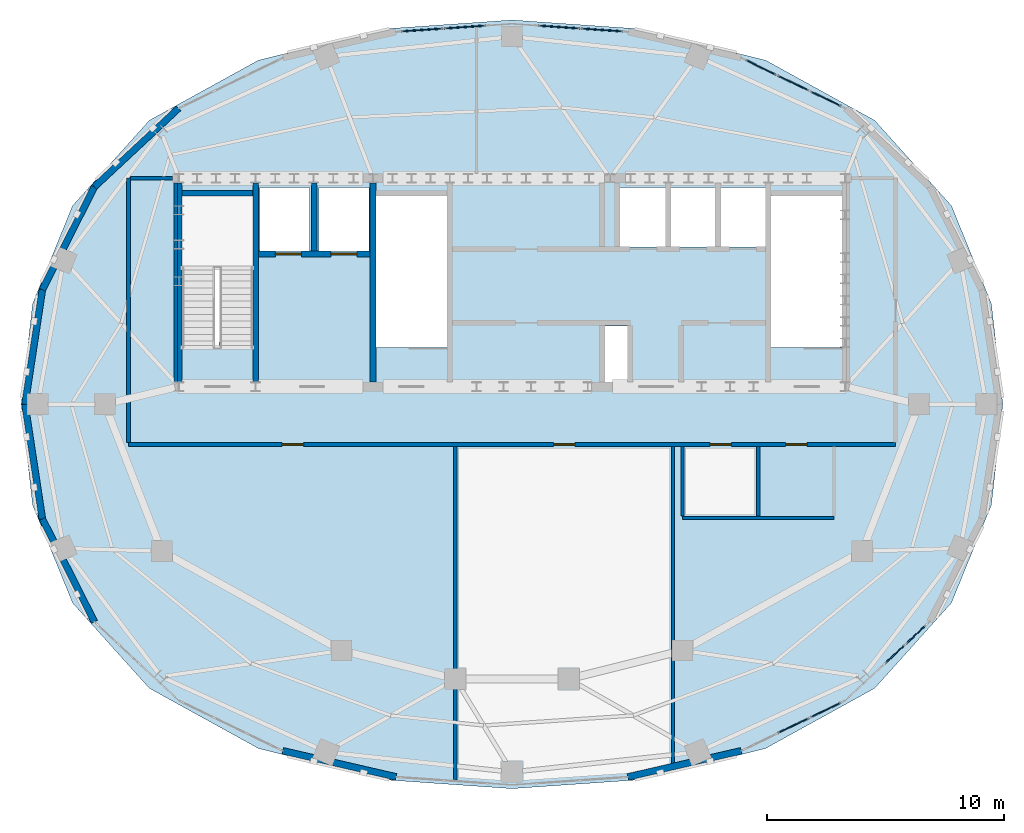
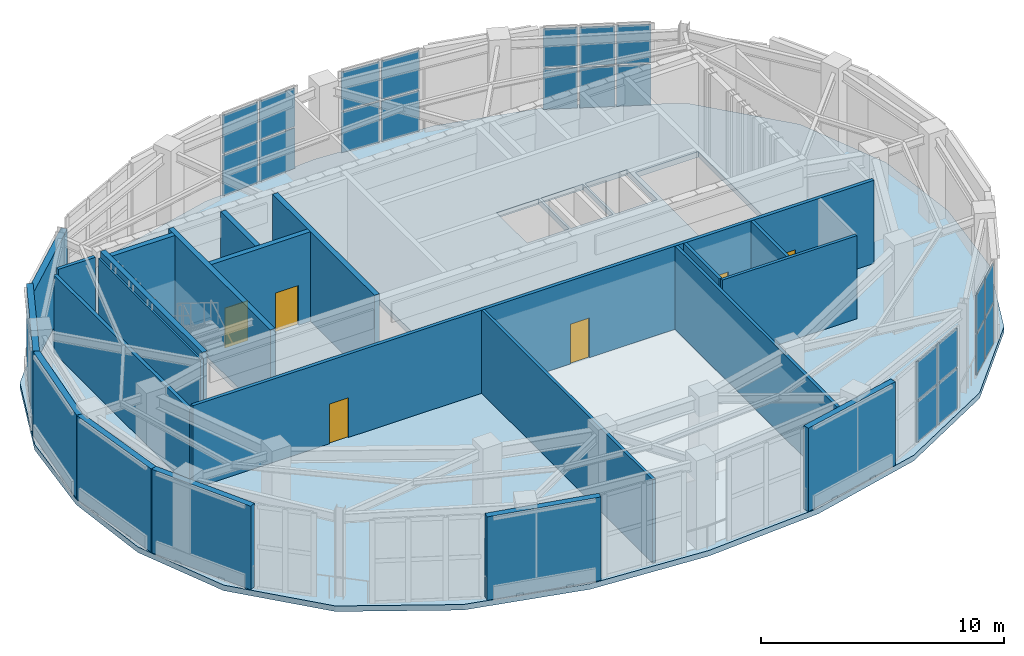
# One storey, part 6 of 10: 22 plates, 22 walls, 6 doors, 1 slab, 6 openings, 5 elements without a shape of their own.
"""IFC4 building model written with IfcOpenShell, lengths in metres."""

from ifc_helpers import new_model, si_unit, direction, frame, frame_2d, origin, origin_2d, place, context, subcontext, project, spatial, polyline, rectangle, outline, extrude, material, layer, layer_set, type_object, element, fill, aggregate, save


model = new_model("IFC4")

# Units and contexts
model_context = context("Model", 3, precision=1e-05, world=origin(), true_north=direction((0.0, 1.0)))
body_context = subcontext(model_context, "Body", "Model", "MODEL_VIEW")
ifc_project = project(units=[si_unit("LENGTHUNIT", "METRE"), si_unit("AREAUNIT", "SQUARE_METRE"), si_unit("VOLUMEUNIT", "CUBIC_METRE"), si_unit("PLANEANGLEUNIT", "RADIAN"), si_unit("MASSUNIT", "GRAM", prefix="KILO")], contexts=[model_context])

# Site, building, storey
site_placement = place(None, origin())
site = spatial("IfcSite", under=ifc_project, at=site_placement, CompositionType="ELEMENT")
building_placement = place(site_placement, origin())
building = spatial("IfcBuilding", under=site, at=building_placement, Name="Haldorwick Loom Tower", CompositionType="ELEMENT")
storey_placement = place(building_placement, frame((0.0, 0.0, 296.0)))
storey = spatial("IfcBuildingStorey", under=building, at=storey_placement, Name="L79", CompositionType="ELEMENT", Elevation=296.0)

# Curtain wall, plates
ifc_material_1 = material(Name="Thermally Broken Anodized Aluminium Curtain Wall Framing", Category="aluminium")
curtain_wall_type = type_object("IfcCurtainWallType", Name="ARC-CW-06", PredefinedType="NOTDEFINED", material=ifc_material_1)
curtain_wall_1_placement = place(storey_placement, origin())
curtain_wall_1 = element("IfcCurtainWall", 1, at=curtain_wall_1_placement, inside=storey, type_object=curtain_wall_type, Name="L79 Facade Curtain Wall CW-06 Bay 4", PredefinedType="NOTDEFINED")
ifc_material_2 = material(Name="Triple-Glazed Low-E Argon Insulated Glazing Unit", Category="glass")
ifc_layer_1 = layer(ifc_material_2, 0.052001953125, Name="Triple-Glazed Low-E Argon Insulated Glazing Unit", Category="glass")
ifc_layer_set_1 = layer_set([ifc_layer_1], Name="Triple-Glazed Low-E Argon Insulated Glazing Unit")
plate_type = type_object("IfcPlateType", Name="ARC-CWP-06", PredefinedType="CURTAIN_PANEL", material=ifc_layer_set_1)
plate_1_placement = place(storey_placement, frame((49.248046875, 38.910400390625, 0.078125), z_axis=(0.0, 0.0, 1.0), x_axis=(-0.900031962022, 0.435823894868, 0.0)))
plate_1 = element("IfcPlate", 2, at=plate_1_placement, type_object=plate_type, Name="CW-06 panel 1.1", PredefinedType="CURTAIN_PANEL", context=body_context, shape_type="SweptSolid", body=[
    extrude(rectangle(XDim=1.420166015625, YDim=0.052001953125, at=origin_2d()), origin(), (0.0, 0.0, 1.0), 2.032958984375),
])
plate_2_placement = place(storey_placement, frame((49.248046875, 38.910400390625, 2.18896484375), z_axis=(0.0, 0.0, 1.0), x_axis=(-0.900031962022, 0.435823894868, 0.0)))
plate_2 = element("IfcPlate", 3, at=plate_2_placement, type_object=plate_type, Name="CW-06 panel 1.2", PredefinedType="CURTAIN_PANEL", context=body_context, shape_type="SweptSolid", body=[
    extrude(rectangle(XDim=1.420166015625, YDim=0.052001953125, at=origin_2d()), origin(), (0.0, 0.0, 1.0), 1.93310546875),
])
plate_3_placement = place(storey_placement, frame((47.882080078125, 39.572021484375, 0.078125), z_axis=(0.0, 0.0, 1.0), x_axis=(-0.900031962022, 0.435823894868, 0.0)))
plate_3 = element("IfcPlate", 4, at=plate_3_placement, type_object=plate_type, Name="CW-06 panel 2.1", PredefinedType="CURTAIN_PANEL", context=body_context, shape_type="SweptSolid", body=[
    extrude(rectangle(XDim=1.459228515625, YDim=0.052001953125, at=origin_2d()), origin(), (0.0, 0.0, 1.0), 2.032958984375),
])
plate_4_placement = place(storey_placement, frame((47.882080078125, 39.572021484375, 2.18896484375), z_axis=(0.0, 0.0, 1.0), x_axis=(-0.900031962022, 0.435823894868, 0.0)))
plate_4 = element("IfcPlate", 5, at=plate_4_placement, type_object=plate_type, Name="CW-06 panel 2.2", PredefinedType="CURTAIN_PANEL", context=body_context, shape_type="SweptSolid", body=[
    extrude(rectangle(XDim=1.459228515625, YDim=0.052001953125, at=origin_2d()), origin(), (0.0, 0.0, 1.0), 1.93310546875),
])
plate_5_placement = place(storey_placement, frame((46.51611328125, 40.2333984375, 0.078125), z_axis=(0.0, 0.0, 1.0), x_axis=(-0.900031962022, 0.435823894868, 0.0)))
plate_5 = element("IfcPlate", 6, at=plate_5_placement, type_object=plate_type, Name="CW-06 panel 3.1", PredefinedType="CURTAIN_PANEL", context=body_context, shape_type="SweptSolid", body=[
    extrude(rectangle(XDim=1.420166015625, YDim=0.052001953125, at=origin_2d()), origin(), (0.0, 0.0, 1.0), 2.032958984375),
])
plate_6_placement = place(storey_placement, frame((46.51611328125, 40.2333984375, 2.18896484375), z_axis=(0.0, 0.0, 1.0), x_axis=(-0.900031962022, 0.435823894868, 0.0)))
plate_6 = element("IfcPlate", 7, at=plate_6_placement, type_object=plate_type, Name="CW-06 panel 3.2", PredefinedType="CURTAIN_PANEL", context=body_context, shape_type="SweptSolid", body=[
    extrude(rectangle(XDim=1.420166015625, YDim=0.052001953125, at=origin_2d()), origin(), (0.0, 0.0, 1.0), 1.93310546875),
])
aggregate(curtain_wall_1, [plate_1, plate_2, plate_3, plate_4, plate_5, plate_6])

curtain_wall_2_placement = place(storey_placement, origin())
curtain_wall_2 = element("IfcCurtainWall", 8, at=curtain_wall_2_placement, inside=storey, type_object=curtain_wall_type, Name="L79 Facade Curtain Wall CW-06 Bay 6", PredefinedType="NOTDEFINED")
plate_7_placement = place(storey_placement, frame((39.808349609375, 41.8134765625, 0.078125), z_axis=(0.0, 0.0, 1.0), x_axis=(-0.997653224716, 0.068469286639, 0.0)))
plate_7 = element("IfcPlate", 9, at=plate_7_placement, type_object=plate_type, Name="CW-06 panel 1.1", PredefinedType="CURTAIN_PANEL", context=body_context, shape_type="SweptSolid", body=[
    extrude(rectangle(XDim=1.74951171875, YDim=0.052001953125, at=origin_2d()), origin(), (0.0, 0.0, 1.0), 2.032958984375),
])
plate_8_placement = place(storey_placement, frame((39.808349609375, 41.8134765625, 2.18896484375), z_axis=(0.0, 0.0, 1.0), x_axis=(-0.997653224716, 0.068469286639, 0.0)))
plate_8 = element("IfcPlate", 10, at=plate_8_placement, type_object=plate_type, Name="CW-06 panel 1.2", PredefinedType="CURTAIN_PANEL", context=body_context, shape_type="SweptSolid", body=[
    extrude(rectangle(XDim=1.74951171875, YDim=0.052001953125, at=origin_2d()), origin(), (0.0, 0.0, 1.0), 1.93310546875),
])
plate_9_placement = place(storey_placement, frame((37.985107421875, 41.9384765625, 0.078125), z_axis=(0.0, 0.0, 1.0), x_axis=(-0.997653224716, 0.068469286639, 0.0)))
plate_9 = element("IfcPlate", 11, at=plate_9_placement, type_object=plate_type, Name="CW-06 panel 2.1", PredefinedType="CURTAIN_PANEL", context=body_context, shape_type="SweptSolid", body=[
    extrude(rectangle(XDim=1.74951171875, YDim=0.052001953125, at=origin_2d()), origin(), (0.0, 0.0, 1.0), 2.032958984375),
])
plate_10_placement = place(storey_placement, frame((37.985107421875, 41.9384765625, 2.18896484375), z_axis=(0.0, 0.0, 1.0), x_axis=(-0.997653224716, 0.068469286639, 0.0)))
plate_10 = element("IfcPlate", 12, at=plate_10_placement, type_object=plate_type, Name="CW-06 panel 2.2", PredefinedType="CURTAIN_PANEL", context=body_context, shape_type="SweptSolid", body=[
    extrude(rectangle(XDim=1.74951171875, YDim=0.052001953125, at=origin_2d()), origin(), (0.0, 0.0, 1.0), 1.93310546875),
])
aggregate(curtain_wall_2, [plate_7, plate_8, plate_9, plate_10])

curtain_wall_3_placement = place(storey_placement, origin())
curtain_wall_3 = element("IfcCurtainWall", 13, at=curtain_wall_3_placement, inside=storey, type_object=curtain_wall_type, Name="L79 Facade Curtain Wall CW-06 Bay 7", PredefinedType="NOTDEFINED")
plate_11_placement = place(storey_placement, frame((34.014892578125, 41.9384765625, 0.078125), z_axis=(0.0, 0.0, 1.0), x_axis=(-0.997653224716, -0.068469286639, 0.0)))
plate_11 = element("IfcPlate", 14, at=plate_11_placement, type_object=plate_type, Name="CW-06 panel 1.1", PredefinedType="CURTAIN_PANEL", context=body_context, shape_type="SweptSolid", body=[
    extrude(rectangle(XDim=1.74951171875, YDim=0.052001953125, at=origin_2d()), origin(), (0.0, 0.0, 1.0), 2.032958984375),
])
plate_12_placement = place(storey_placement, frame((34.014892578125, 41.9384765625, 2.18896484375), z_axis=(0.0, 0.0, 1.0), x_axis=(-0.997653224716, -0.068469286639, 0.0)))
plate_12 = element("IfcPlate", 15, at=plate_12_placement, type_object=plate_type, Name="CW-06 panel 1.2", PredefinedType="CURTAIN_PANEL", context=body_context, shape_type="SweptSolid", body=[
    extrude(rectangle(XDim=1.74951171875, YDim=0.052001953125, at=origin_2d()), origin(), (0.0, 0.0, 1.0), 1.93310546875),
])
plate_13_placement = place(storey_placement, frame((32.191650390625, 41.8134765625, 0.078125), z_axis=(0.0, 0.0, 1.0), x_axis=(-0.997653224716, -0.068469286639, 0.0)))
plate_13 = element("IfcPlate", 16, at=plate_13_placement, type_object=plate_type, Name="CW-06 panel 2.1", PredefinedType="CURTAIN_PANEL", context=body_context, shape_type="SweptSolid", body=[
    extrude(rectangle(XDim=1.74951171875, YDim=0.052001953125, at=origin_2d()), origin(), (0.0, 0.0, 1.0), 2.032958984375),
])
plate_14_placement = place(storey_placement, frame((32.191650390625, 41.8134765625, 2.18896484375), z_axis=(0.0, 0.0, 1.0), x_axis=(-0.997653224716, -0.068469286639, 0.0)))
plate_14 = element("IfcPlate", 17, at=plate_14_placement, type_object=plate_type, Name="CW-06 panel 2.2", PredefinedType="CURTAIN_PANEL", context=body_context, shape_type="SweptSolid", body=[
    extrude(rectangle(XDim=1.74951171875, YDim=0.052001953125, at=origin_2d()), origin(), (0.0, 0.0, 1.0), 1.93310546875),
])
aggregate(curtain_wall_3, [plate_11, plate_12, plate_13, plate_14])

curtain_wall_4_placement = place(storey_placement, origin())
curtain_wall_4 = element("IfcCurtainWall", 18, at=curtain_wall_4_placement, inside=storey, type_object=curtain_wall_type, Name="L79 Facade Curtain Wall CW-06 Bay 21", PredefinedType="NOTDEFINED")
plate_15_placement = place(storey_placement, frame((47.882080078125, 12.427978515625, 0.078125), z_axis=(0.0, 0.0, 1.0), x_axis=(0.900031962022, 0.435823894868, 0.0)))
plate_15 = element("IfcPlate", 19, at=plate_15_placement, type_object=plate_type, Name="CW-06 panel 2.1", PredefinedType="CURTAIN_PANEL", context=body_context, shape_type="SweptSolid", body=[
    extrude(rectangle(XDim=1.459228515625, YDim=0.052001953125, at=origin_2d()), origin(), (0.0, 0.0, 1.0), 2.032958984375),
])
plate_16_placement = place(storey_placement, frame((47.882080078125, 12.427978515625, 2.18896484375), z_axis=(0.0, 0.0, 1.0), x_axis=(0.900031962022, 0.435823894868, 0.0)))
plate_16 = element("IfcPlate", 20, at=plate_16_placement, type_object=plate_type, Name="CW-06 panel 2.2", PredefinedType="CURTAIN_PANEL", context=body_context, shape_type="SweptSolid", body=[
    extrude(rectangle(XDim=1.459228515625, YDim=0.052001953125, at=origin_2d()), origin(), (0.0, 0.0, 1.0), 1.93310546875),
])
plate_17_placement = place(storey_placement, frame((49.248046875, 13.089599609375, 0.078125), z_axis=(0.0, 0.0, 1.0), x_axis=(0.900031962022, 0.435823894868, 0.0)))
plate_17 = element("IfcPlate", 21, at=plate_17_placement, type_object=plate_type, Name="CW-06 panel 3.1", PredefinedType="CURTAIN_PANEL", context=body_context, shape_type="SweptSolid", body=[
    extrude(rectangle(XDim=1.420166015625, YDim=0.052001953125, at=origin_2d()), origin(), (0.0, 0.0, 1.0), 2.032958984375),
])
plate_18_placement = place(storey_placement, frame((49.248046875, 13.089599609375, 2.18896484375), z_axis=(0.0, 0.0, 1.0), x_axis=(0.900031962022, 0.435823894868, 0.0)))
plate_18 = element("IfcPlate", 22, at=plate_18_placement, type_object=plate_type, Name="CW-06 panel 3.2", PredefinedType="CURTAIN_PANEL", context=body_context, shape_type="SweptSolid", body=[
    extrude(rectangle(XDim=1.420166015625, YDim=0.052001953125, at=origin_2d()), origin(), (0.0, 0.0, 1.0), 1.93310546875),
])
aggregate(curtain_wall_4, [plate_15, plate_16, plate_17, plate_18])

curtain_wall_5_placement = place(storey_placement, origin())
curtain_wall_5 = element("IfcCurtainWall", 23, at=curtain_wall_5_placement, inside=storey, type_object=curtain_wall_type, Name="L79 Facade Curtain Wall CW-06 Bay 22", PredefinedType="NOTDEFINED")
plate_19_placement = place(storey_placement, frame((52.1826171875, 15.454345703125, 0.078125), z_axis=(0.0, 0.0, 1.0), x_axis=(0.730886220753, 0.682499327702, 0.0)))
plate_19 = element("IfcPlate", 24, at=plate_19_placement, type_object=plate_type, Name="CW-06 panel 1.1", PredefinedType="CURTAIN_PANEL", context=body_context, shape_type="SweptSolid", body=[
    extrude(rectangle(XDim=1.13232421875, YDim=0.052001953125, at=origin_2d()), origin(), (0.0, 0.0, 1.0), 2.032958984375),
])
plate_20_placement = place(storey_placement, frame((52.1826171875, 15.454345703125, 2.18896484375), z_axis=(0.0, 0.0, 1.0), x_axis=(0.730886220753, 0.682499327702, 0.0)))
plate_20 = element("IfcPlate", 25, at=plate_20_placement, type_object=plate_type, Name="CW-06 panel 1.2", PredefinedType="CURTAIN_PANEL", context=body_context, shape_type="SweptSolid", body=[
    extrude(rectangle(XDim=1.13232421875, YDim=0.052001953125, at=origin_2d()), origin(), (0.0, 0.0, 1.0), 1.93310546875),
])
plate_21_placement = place(storey_placement, frame((53.0673828125, 16.280517578125, 0.078125), z_axis=(0.0, 0.0, 1.0), x_axis=(0.730886220753, 0.682499327702, 0.0)))
plate_21 = element("IfcPlate", 26, at=plate_21_placement, type_object=plate_type, Name="CW-06 panel 2.1", PredefinedType="CURTAIN_PANEL", context=body_context, shape_type="SweptSolid", body=[
    extrude(rectangle(XDim=1.13232421875, YDim=0.052001953125, at=origin_2d()), origin(), (0.0, 0.0, 1.0), 2.032958984375),
])
plate_22_placement = place(storey_placement, frame((53.0673828125, 16.280517578125, 2.18896484375), z_axis=(0.0, 0.0, 1.0), x_axis=(0.730886220753, 0.682499327702, 0.0)))
plate_22 = element("IfcPlate", 27, at=plate_22_placement, type_object=plate_type, Name="CW-06 panel 2.2", PredefinedType="CURTAIN_PANEL", context=body_context, shape_type="SweptSolid", body=[
    extrude(rectangle(XDim=1.13232421875, YDim=0.052001953125, at=origin_2d()), origin(), (0.0, 0.0, 1.0), 1.93310546875),
])
aggregate(curtain_wall_5, [plate_19, plate_20, plate_21, plate_22])

# Slab
ifc_material_3 = material(Name="Concrete C40 (40 MPa)", Category="concrete")
ifc_layer_2 = layer(ifc_material_3, 0.280029296875, Name="Concrete C40 (40 MPa)", Category="concrete")
ifc_layer_set_2 = layer_set([ifc_layer_2], Name="Concrete C40 (40 MPa)")
slab_type = type_object("IfcSlabType", Name="STR-SLB-SKY280", PredefinedType="FLOOR", material=ifc_layer_set_2)
slab_placement = place(storey_placement, frame((0.0, 0.0, -0.280029296875)))
element("IfcSlab", 28, at=slab_placement, inside=storey, type_object=slab_type, Name="L79 Conservatory Structural Floor Slab", PredefinedType="FLOOR", context=body_context, shape_type="SweptSolid", body=[
    extrude(outline(polyline([(54.561767578125, 17.608642578125), (56.25244140625, 21.7509765625), (56.733642578125, 26.0), (56.25244140625, 30.2490234375), (54.561767578125, 34.391357421875), (51.320556640625, 37.99609375), (46.716552734375, 40.5341796875), (41.426513671875, 41.85791015625), (36.0, 42.23486328125), (30.573486328125, 41.85791015625), (25.283447265625, 40.5341796875), (20.679443359375, 37.99609375), (17.438232421875, 34.391357421875), (15.74755859375, 30.2490234375), (15.266357421875, 26.0), (15.74755859375, 21.7509765625), (17.438232421875, 17.608642578125), (20.679443359375, 14.00390625), (25.283447265625, 11.4658203125), (30.573486328125, 10.14208984375), (36.0, 9.76513671875), (41.426513671875, 10.14208984375), (46.716552734375, 11.4658203125), (51.320556640625, 14.00390625), (54.561767578125, 17.608642578125)]), holes=[polyline([(39.89990234375, 26.89990234375), (39.89990234375, 29.300048828125), (40.89990234375, 29.300048828125), (40.89990234375, 26.89990234375), (39.89990234375, 26.89990234375)]), polyline([(22.050048828125, 28.39990234375), (22.050048828125, 34.800048828125), (25.050048828125, 34.800048828125), (25.050048828125, 28.639892578125), (23.6201171875, 28.639892578125), (23.6201171875, 28.39990234375), (22.050048828125, 28.39990234375)]), polyline([(30.25, 28.39990234375), (30.25, 34.800048828125), (33.25, 34.800048828125), (33.25, 28.39990234375), (30.25, 28.39990234375)]), polyline([(46.949951171875, 28.39990234375), (46.949951171875, 34.800048828125), (49.949951171875, 34.800048828125), (49.949951171875, 28.39990234375), (46.949951171875, 28.39990234375)]), polyline([(25.35009765625, 32.449951171875), (25.35009765625, 35.14990234375), (27.449951171875, 35.14990234375), (27.449951171875, 32.449951171875), (25.35009765625, 32.449951171875)]), polyline([(27.85009765625, 32.449951171875), (27.85009765625, 35.14990234375), (29.949951171875, 35.14990234375), (29.949951171875, 32.449951171875), (27.85009765625, 32.449951171875)]), polyline([(40.550048828125, 32.64990234375), (40.550048828125, 35.14990234375), (42.550048828125, 35.14990234375), (42.550048828125, 32.64990234375), (40.550048828125, 32.64990234375)]), polyline([(42.64990234375, 35.14990234375), (44.64990234375, 35.14990234375), (44.64990234375, 32.64990234375), (42.64990234375, 32.64990234375), (42.64990234375, 35.14990234375)]), polyline([(44.75, 35.14990234375), (46.75, 35.14990234375), (46.75, 32.64990234375), (44.75, 32.64990234375), (44.75, 35.14990234375)])]), origin(), (0.0, 0.0, 1.0), 0.280029296875),
])

# Walls
ifc_material_4 = material(Name="Pressed Clay Face Brick and Insulated Masonry Backup Assembly", Category="masonry")
ifc_layer_3 = layer(ifc_material_4, 0.280029296875, Name="Pressed Clay Face Brick and Insulated Masonry Backup Assembly", Category="masonry")
ifc_layer_set_3 = layer_set([ifc_layer_3], Name="Pressed Clay Face Brick and Insulated Masonry Backup Assembly")
wall_type_1 = type_object("IfcWallType", Name="ARC-WL-EXT280", PredefinedType="STANDARD", material=ifc_layer_set_3)
wall_1_placement = place(storey_placement, frame((21.91650390625, 38.506103515625, 0.0), z_axis=(0.0, 0.0, 1.0), x_axis=(-0.730848380054, -0.682539848927, 0.0)))
element("IfcWall", 29, at=wall_1_placement, inside=storey, type_object=wall_type_1, Name="L79 Brick Pier and Spandrel Wall 10", PredefinedType="STANDARD", context=body_context, shape_type="SweptSolid", body=[
    extrude(rectangle(XDim=4.86669921875, YDim=0.280029296875, at=frame_2d((2.433349609375, 0.0))), origin(), (0.0, 0.0, 1.0), 3.708984375),
])
wall_2_placement = place(storey_placement, frame((18.359619140625, 35.184326171875, 0.0), z_axis=(0.0, 0.0, 1.0), x_axis=(-0.451802465885, -0.892118003305, 0.0)))
element("IfcWall", 30, at=wall_2_placement, inside=storey, type_object=wall_type_1, Name="L79 Brick Pier and Spandrel Wall 11", PredefinedType="STANDARD", context=body_context, shape_type="SweptSolid", body=[
    extrude(rectangle(XDim=4.8671875, YDim=0.280029296875, at=frame_2d((2.43359375, 0.0))), origin(), (0.0, 0.0, 1.0), 4.199951171875),
])
for number, where, z_axis, x_axis, name in (
    (31, (16.16064453125, 30.84228515625, 0.0), (0.0, 0.0, 1.0), (-0.149895455746, -0.9887018521, 0.0), "L79 Brick Pier and Spandrel Wall 12"),
    (32, (15.426513671875, 26.0, 0.0), (0.0, 0.0, 1.0), (0.149895455746, -0.9887018521, 0.0), "L79 Brick Pier and Spandrel Wall 13"),
):
    element("IfcWall", number, at=place(storey_placement, frame(where, z_axis=z_axis, x_axis=x_axis)), inside=storey, type_object=wall_type_1, Name=name, PredefinedType="STANDARD", context=body_context, shape_type="SweptSolid", body=[
        extrude(rectangle(XDim=4.897705078125, YDim=0.280029296875, at=frame_2d((2.44873046875, 0.0))), origin(), (0.0, 0.0, 1.0), 4.199951171875),
    ])
wall_3_placement = place(storey_placement, frame((16.16064453125, 21.15771484375, 0.0), z_axis=(0.0, 0.0, 1.0), x_axis=(0.451802465885, -0.892118003305, 0.0)))
element("IfcWall", 33, at=wall_3_placement, inside=storey, type_object=wall_type_1, Name="L79 Brick Pier and Spandrel Wall 14", PredefinedType="STANDARD", context=body_context, shape_type="SweptSolid", body=[
    extrude(rectangle(XDim=4.8671875, YDim=0.280029296875, at=frame_2d((2.43359375, 0.0))), origin(), (0.0, 0.0, 1.0), 4.199951171875),
])
for number, where, z_axis, x_axis, name in (
    (34, (26.3193359375, 11.362060546875, 0.0), (0.0, 0.0, 1.0), (0.97452518262, -0.224278105128, 0.0), "L79 Brick Pier and Spandrel Wall 17"),
    (35, (40.8984375, 10.261474609375, 0.0), (0.0, 0.0, 1.0), (0.97452518262, 0.224278105128, 0.0), "L79 Brick Pier and Spandrel Wall 20"),
):
    element("IfcWall", number, at=place(storey_placement, frame(where, z_axis=z_axis, x_axis=x_axis)), inside=storey, type_object=wall_type_1, Name=name, PredefinedType="STANDARD", context=body_context, shape_type="SweptSolid", body=[
        extrude(rectangle(XDim=4.9072265625, YDim=0.280029296875, at=frame_2d((2.45361328125, 0.0))), origin(), (0.0, 0.0, 1.0), 4.199951171875),
    ])

# Wall, openings, doors
ifc_material_5 = material(Name="Fire-Rated Type X Gypsum Stud Assembly EI 60")
ifc_layer_4 = layer(ifc_material_5, 0.159912109375, Name="Fire-Rated Type X Gypsum Stud Assembly EI 60")
ifc_layer_set_4 = layer_set([ifc_layer_4], Name="Fire-Rated Type X Gypsum Stud Assembly EI 60")
wall_type_2 = type_object("IfcWallType", Name="ARC-WL-FIRE160", PredefinedType="PARTITIONING", material=ifc_layer_set_4)
wall_4_placement = place(storey_placement, frame((19.800048828125, 24.300048828125, 0.0), z_axis=(0.0, 0.0, 1.0), x_axis=(1.0, 0.0, 0.0)))
wall_4 = element("IfcWall", 36, at=wall_4_placement, inside=storey, type_object=wall_type_2, Name="L79 Interior Partition L79-CS", PredefinedType="PARTITIONING", context=body_context, shape_type="SweptSolid", body=[
    extrude(rectangle(XDim=32.39990234375, YDim=0.159912109375, at=frame_2d((16.199951171875, 0.0))), origin(), (0.0, 0.0, 1.0), 4.18505859375),
])
opening_1_placement = place(wall_4_placement, frame((6.492919921875, 0.0, 0.0)))
opening_1 = element("IfcOpeningElement", 37, at=opening_1_placement, cuts=wall_4, Name="Opening D-FD60A", PredefinedType="OPENING", context=body_context, shape_type="SweptSolid", body=[
    extrude(rectangle(XDim=0.89990234375, YDim=2.0, at=frame_2d((0.449951171875, 1.0))), frame((0.0, 0.08984375, 0.0), z_axis=(0.0, -1.0, 0.0), x_axis=(1.0, 0.0, 0.0)), (0.0, 0.0, 1.0), 0.179931640625),
])
opening_2_placement = place(wall_4_placement, frame((17.9541015625, 0.0, 0.0)))
opening_2 = element("IfcOpeningElement", 38, at=opening_2_placement, cuts=wall_4, Name="Opening D-FD60A", PredefinedType="OPENING", context=body_context, shape_type="SweptSolid", body=[
    extrude(rectangle(XDim=0.89990234375, YDim=2.0, at=frame_2d((0.449951171875, 1.0))), frame((0.0, 0.08984375, 0.0), z_axis=(0.0, -1.0, 0.0), x_axis=(1.0, 0.0, 0.0)), (0.0, 0.0, 1.0), 0.179931640625),
])
opening_3_placement = place(wall_4_placement, frame((24.56640625, 0.0, 0.0)))
opening_3 = element("IfcOpeningElement", 39, at=opening_3_placement, cuts=wall_4, Name="Opening D-FD60A", PredefinedType="OPENING", context=body_context, shape_type="SweptSolid", body=[
    extrude(rectangle(XDim=0.89990234375, YDim=2.0, at=frame_2d((0.449951171875, 1.0))), frame((0.0, 0.08984375, 0.0), z_axis=(0.0, -1.0, 0.0), x_axis=(1.0, 0.0, 0.0)), (0.0, 0.0, 1.0), 0.179931640625),
])
opening_4_placement = place(wall_4_placement, frame((27.76220703125, 0.0, 0.0)))
opening_4 = element("IfcOpeningElement", 40, at=opening_4_placement, cuts=wall_4, Name="Opening D-FD60A", PredefinedType="OPENING", context=body_context, shape_type="SweptSolid", body=[
    extrude(rectangle(XDim=0.89990234375, YDim=2.0, at=frame_2d((0.449951171875, 1.0))), frame((0.0, 0.08984375, 0.0), z_axis=(0.0, -1.0, 0.0), x_axis=(1.0, 0.0, 0.0)), (0.0, 0.0, 1.0), 0.179931640625),
])
ifc_material_6 = material(Name="Hollow Steel Fire Door Assembly", Category="steel")
door_type_1 = type_object("IfcDoorType", Name="ARC-DR-FD60-90", OperationType="NOTDEFINED", PredefinedType="DOOR", material=ifc_material_6)
door_1_placement = place(opening_1_placement, origin())
door_1 = element("IfcDoor", 41, at=door_1_placement, inside=storey, type_object=door_type_1, Name="L79 L79 Central Transfer Corridor to Botanical Curator Office 4 Door", OperationType="SINGLE_SWING_RIGHT", OverallHeight=2.0, OverallWidth=0.89990234375, PredefinedType="DOOR", context=body_context, shape_type="SweptSolid", body=[
    extrude(rectangle(XDim=0.89990234375, YDim=2.0, at=frame_2d((0.449951171875, 1.0))), frame((0.0, 0.02490234375, 0.0), z_axis=(0.0, -1.0, 0.0), x_axis=(1.0, 0.0, 0.0)), (0.0, 0.0, 1.0), 0.050048828125),
])
fill(opening_1, door_1)
door_2_placement = place(opening_2_placement, origin())
door_2 = element("IfcDoor", 42, at=door_2_placement, inside=storey, type_object=door_type_1, Name="L79 L79 Central Transfer Corridor to Upper Sky-Garden Viewing Conservato", OperationType="SINGLE_SWING_RIGHT", OverallHeight=2.0, OverallWidth=0.89990234375, PredefinedType="DOOR", context=body_context, shape_type="SweptSolid", body=[
    extrude(rectangle(XDim=0.89990234375, YDim=2.0, at=frame_2d((0.449951171875, 1.0))), frame((0.0, 0.02490234375, 0.0), z_axis=(0.0, -1.0, 0.0), x_axis=(1.0, 0.0, 0.0)), (0.0, 0.0, 1.0), 0.050048828125),
])
fill(opening_2, door_2)
door_3_placement = place(opening_3_placement, origin())
door_3 = element("IfcDoor", 43, at=door_3_placement, inside=storey, type_object=door_type_1, Name="L79 L79 Central Transfer Corridor to Public Washroom Door", OperationType="SINGLE_SWING_LEFT", OverallHeight=2.0, OverallWidth=0.89990234375, PredefinedType="DOOR", context=body_context, shape_type="SweptSolid", body=[
    extrude(rectangle(XDim=0.89990234375, YDim=2.0, at=frame_2d((0.449951171875, 1.0))), frame((0.0, 0.02490234375, 0.0), z_axis=(0.0, -1.0, 0.0), x_axis=(1.0, 0.0, 0.0)), (0.0, 0.0, 1.0), 0.050048828125),
])
fill(opening_3, door_3)
door_4_placement = place(opening_4_placement, origin())
door_4 = element("IfcDoor", 44, at=door_4_placement, inside=storey, type_object=door_type_1, Name="L79 L79 Central Transfer Corridor to Accessible WC Door", OperationType="SINGLE_SWING_RIGHT", OverallHeight=2.0, OverallWidth=0.89990234375, PredefinedType="DOOR", context=body_context, shape_type="SweptSolid", body=[
    extrude(rectangle(XDim=0.89990234375, YDim=2.0, at=frame_2d((0.449951171875, 1.0))), frame((0.0, 0.02490234375, 0.0), z_axis=(0.0, -1.0, 0.0), x_axis=(1.0, 0.0, 0.0)), (0.0, 0.0, 1.0), 0.050048828125),
])
fill(opening_4, door_4)

# Walls
wall_5_placement = place(storey_placement, frame((19.800048828125, 24.383056640625, 0.0), z_axis=(0.0, 0.0, 1.0), x_axis=(0.0, 1.0, 0.0)))
element("IfcWall", 45, at=wall_5_placement, inside=storey, type_object=wall_type_2, Name="L79 Interior Partition L79-CW0", PredefinedType="PARTITIONING", context=body_context, shape_type="SweptSolid", body=[
    extrude(rectangle(XDim=11.1669921875, YDim=0.159912109375, at=frame_2d((5.58349609375, 0.0))), origin(), (0.0, 0.0, 1.0), 3.9169921875),
])
wall_6_placement = place(storey_placement, frame((21.800048828125, 26.952880859375, 0.0), z_axis=(0.0, 0.0, 1.0), x_axis=(0.0, 1.0, 0.0)))
element("IfcWall", 46, at=wall_6_placement, inside=storey, type_object=wall_type_2, Name="L79 Interior Partition L79-CW2", PredefinedType="PARTITIONING", context=body_context, shape_type="SweptSolid", body=[
    extrude(rectangle(XDim=8.39404296875, YDim=0.159912109375, at=frame_2d((4.197021484375, 0.0))), origin(), (0.0, 0.0, 1.0), 4.18505859375),
])
wall_7_placement = place(storey_placement, frame((19.883056640625, 35.550048828125, 0.0), z_axis=(0.0, 0.0, 1.0), x_axis=(1.0, 0.0, 0.0)))
element("IfcWall", 47, at=wall_7_placement, inside=storey, type_object=wall_type_2, Name="L79 Interior Partition L79-CWN", PredefinedType="PARTITIONING", context=body_context, shape_type="SweptSolid", body=[
    extrude(rectangle(XDim=1.766845703125, YDim=0.159912109375, at=frame_2d((0.88330078125, 0.0))), origin(), (0.0, 0.0, 1.0), 4.18505859375),
])
ifc_layer_5 = layer(ifc_material_5, 0.139892578125, Name="Fire-Rated Type X Gypsum Stud Assembly EI 60")
ifc_layer_set_5 = layer_set([ifc_layer_5], Name="Fire-Rated Type X Gypsum Stud Assembly EI 60")
wall_type_3 = type_object("IfcWallType", Name="ARC-WL-PART140", PredefinedType="PARTITIONING", material=ifc_layer_set_5)
wall_8_placement = place(storey_placement, frame((43.199951171875, 21.199951171875, 0.0), z_axis=(0.0, 0.0, 1.0), x_axis=(1.0, 0.0, 0.0)))
element("IfcWall", 48, at=wall_8_placement, inside=storey, type_object=wall_type_3, Name="L79 Interior Partition L79-WC1", PredefinedType="PARTITIONING", context=body_context, shape_type="SweptSolid", body=[
    extrude(rectangle(XDim=6.400146484375, YDim=0.139892578125, at=frame_2d((3.2001953125, 0.0))), origin(), (0.0, 0.0, 1.0), 4.18505859375),
])
for number, where, z_axis, x_axis, name in (
    (49, (46.39990234375, 21.27294921875, 0.0), (0.0, 0.0, 1.0), (0.0, 1.0, 0.0), "L79 Interior Partition L79-WC2"),
    (50, (43.199951171875, 21.27294921875, 0.0), (0.0, 0.0, 1.0), (0.0, 1.0, 0.0), "L79 Interior Partition L79-WC3"),
):
    element("IfcWall", number, at=place(storey_placement, frame(where, z_axis=z_axis, x_axis=x_axis)), inside=storey, type_object=wall_type_3, Name=name, PredefinedType="PARTITIONING", context=body_context, shape_type="SweptSolid", body=[
        extrude(rectangle(XDim=2.944091796875, YDim=0.139892578125, at=frame_2d((1.47216796875, 0.0))), origin(), (0.0, 0.0, 1.0), 4.18505859375),
    ])
wall_9_placement = place(storey_placement, frame((33.60009765625, 10.135009765625, 0.0), z_axis=(0.0, 0.0, 1.0), x_axis=(0.0, 1.0, 0.0)))
element("IfcWall", 51, at=wall_9_placement, inside=storey, type_object=wall_type_3, Name="L79 Interior Partition L79-S-0", PredefinedType="PARTITIONING", context=body_context, shape_type="SweptSolid", body=[
    extrude(rectangle(XDim=14.08203125, YDim=0.139892578125, at=frame_2d((7.041015625, 0.0))), origin(), (0.0, 0.0, 1.0), 4.18505859375),
])
wall_10_placement = place(storey_placement, frame((42.800048828125, 10.7451171875, 0.0), z_axis=(0.0, 0.0, 1.0), x_axis=(0.0, 1.0, 0.0)))
element("IfcWall", 52, at=wall_10_placement, inside=storey, type_object=wall_type_3, Name="L79 Interior Partition L79-S-1", PredefinedType="PARTITIONING", context=body_context, shape_type="SweptSolid", body=[
    extrude(rectangle(XDim=13.471923828125, YDim=0.139892578125, at=frame_2d((6.73583984375, 0.0))), origin(), (0.0, 0.0, 1.0), 4.18505859375),
])
ifc_material_7 = material(Name="Concrete C50 (50 MPa)", Category="concrete")
ifc_layer_6 = layer(ifc_material_7, 0.239990234375, Name="Concrete C50 (50 MPa)", Category="concrete")
ifc_layer_set_6 = layer_set([ifc_layer_6], Name="Concrete C50 (50 MPa)")
wall_type_4 = type_object("IfcWallType", Name="STR-WL-SHAFT240", PredefinedType="SHEAR", material=ifc_layer_set_6)
for number, where, z_axis, x_axis, name in (
    (53, (21.929931640625, 35.346923828125, 0.0), (0.0, 0.0, 1.0), (0.0, -1.0, 0.0), "L79 Core Shear Wall W"),
    (54, (25.169921875, 26.952880859375, 0.0), (0.0, 0.0, 1.0), (0.0, 1.0, 0.0), "L79 Core Shear Wall 1"),
):
    element("IfcWall", number, at=place(storey_placement, frame(where, z_axis=z_axis, x_axis=x_axis)), inside=storey, type_object=wall_type_4, Name=name, PredefinedType="SHEAR", context=body_context, shape_type="SweptSolid", body=[
        extrude(rectangle(XDim=8.39404296875, YDim=0.239990234375, at=frame_2d((4.197021484375, 0.0))), origin(), (0.0, 0.0, 1.0), 4.5),
    ])
wall_11_placement = place(storey_placement, frame((22.052978515625, 34.919921875, 0.0), z_axis=(0.0, 0.0, 1.0), x_axis=(1.0, 0.0, 0.0)))
element("IfcWall", 55, at=wall_11_placement, inside=storey, type_object=wall_type_4, Name="L79 Core Shear Wall 1N", PredefinedType="SHEAR", context=body_context, shape_type="SweptSolid", body=[
    extrude(rectangle(XDim=2.994140625, YDim=0.239990234375, at=frame_2d((1.4970703125, 0.0))), origin(), (0.0, 0.0, 1.0), 4.5),
])
wall_12_placement = place(storey_placement, frame((30.1298828125, 26.952880859375, 0.0), z_axis=(0.0, 0.0, 1.0), x_axis=(0.0, 1.0, 0.0)))
element("IfcWall", 56, at=wall_12_placement, inside=storey, type_object=wall_type_4, Name="L79 Core Shear Wall 2", PredefinedType="SHEAR", context=body_context, shape_type="SweptSolid", body=[
    extrude(rectangle(XDim=8.39404296875, YDim=0.239990234375, at=frame_2d((4.197021484375, 0.0))), origin(), (0.0, 0.0, 1.0), 4.5),
])

# Wall, openings, doors
wall_13_placement = place(storey_placement, frame((25.29296875, 32.35009765625, 0.0), z_axis=(0.0, 0.0, 1.0), x_axis=(1.0, 0.0, 0.0)))
wall_13 = element("IfcWall", 57, at=wall_13_placement, inside=storey, type_object=wall_type_4, Name="L79 Core Shear Wall FF", PredefinedType="SHEAR", context=body_context, shape_type="SweptSolid", body=[
    extrude(rectangle(XDim=4.714111328125, YDim=0.239990234375, at=frame_2d((2.35693359375, 0.0))), origin(), (0.0, 0.0, 1.0), 4.5),
])
opening_5_placement = place(wall_13_placement, frame((0.70703125, 0.0, 0.0)))
opening_5 = element("IfcOpeningElement", 58, at=opening_5_placement, cuts=wall_13, Name="Opening LD-FF1", PredefinedType="OPENING", context=body_context, shape_type="SweptSolid", body=[
    extrude(rectangle(XDim=1.10009765625, YDim=2.0, at=frame_2d((0.550048828125, 1.0))), frame((0.0, 0.1298828125, 0.0), z_axis=(0.0, -1.0, 0.0), x_axis=(1.0, 0.0, 0.0)), (0.0, 0.0, 1.0), 0.260009765625),
])
opening_6_placement = place(wall_13_placement, frame((3.056884765625, 0.0, 0.0)))
opening_6 = element("IfcOpeningElement", 59, at=opening_6_placement, cuts=wall_13, Name="Opening LD-FF2", PredefinedType="OPENING", context=body_context, shape_type="SweptSolid", body=[
    extrude(rectangle(XDim=1.10009765625, YDim=2.0, at=frame_2d((0.550048828125, 1.0))), frame((0.0, 0.1298828125, 0.0), z_axis=(0.0, -1.0, 0.0), x_axis=(1.0, 0.0, 0.0)), (0.0, 0.0, 1.0), 0.260009765625),
])
door_type_2 = type_object("IfcDoorType", Name="ARC-DR-LD-FF", OperationType="NOTDEFINED", PredefinedType="USERDEFINED", material=ifc_material_6)
door_5_placement = place(opening_5_placement, origin())
door_5 = element("IfcDoor", 60, at=door_5_placement, inside=storey, type_object=door_type_2, Name="L79 Lift LF-FF1 Sliding Landing Door", ObjectType="LANDING DOOR", OperationType="DOUBLE_DOOR_SLIDING", OverallHeight=2.0, OverallWidth=1.10009765625, PredefinedType="USERDEFINED", context=body_context, shape_type="SweptSolid", body=[
    extrude(rectangle(XDim=1.10009765625, YDim=2.0, at=frame_2d((0.550048828125, 1.0))), frame((0.0, 0.02490234375, 0.0), z_axis=(0.0, -1.0, 0.0), x_axis=(1.0, 0.0, 0.0)), (0.0, 0.0, 1.0), 0.050048828125),
])
fill(opening_5, door_5)
door_6_placement = place(opening_6_placement, origin())
door_6 = element("IfcDoor", 61, at=door_6_placement, inside=storey, type_object=door_type_2, Name="L79 Lift LF-FF2 Sliding Landing Door", ObjectType="LANDING DOOR", OperationType="DOUBLE_DOOR_SLIDING", OverallHeight=2.0, OverallWidth=1.10009765625, PredefinedType="USERDEFINED", context=body_context, shape_type="SweptSolid", body=[
    extrude(rectangle(XDim=1.10009765625, YDim=2.0, at=frame_2d((0.550048828125, 1.0))), frame((0.0, 0.02490234375, 0.0), z_axis=(0.0, -1.0, 0.0), x_axis=(1.0, 0.0, 0.0)), (0.0, 0.0, 1.0), 0.050048828125),
])
fill(opening_6, door_6)

# Wall
wall_14_placement = place(storey_placement, frame((27.64990234375, 32.472900390625, 0.0), z_axis=(0.0, 0.0, 1.0), x_axis=(0.0, 1.0, 0.0)))
element("IfcWall", 62, at=wall_14_placement, inside=storey, type_object=wall_type_4, Name="L79 Core Shear Wall FFD", PredefinedType="SHEAR", context=body_context, shape_type="SweptSolid", body=[
    extrude(rectangle(XDim=2.8740234375, YDim=0.239990234375, at=frame_2d((1.43701171875, 0.0))), origin(), (0.0, 0.0, 1.0), 4.5),
])

save(model, "model.ifc")
